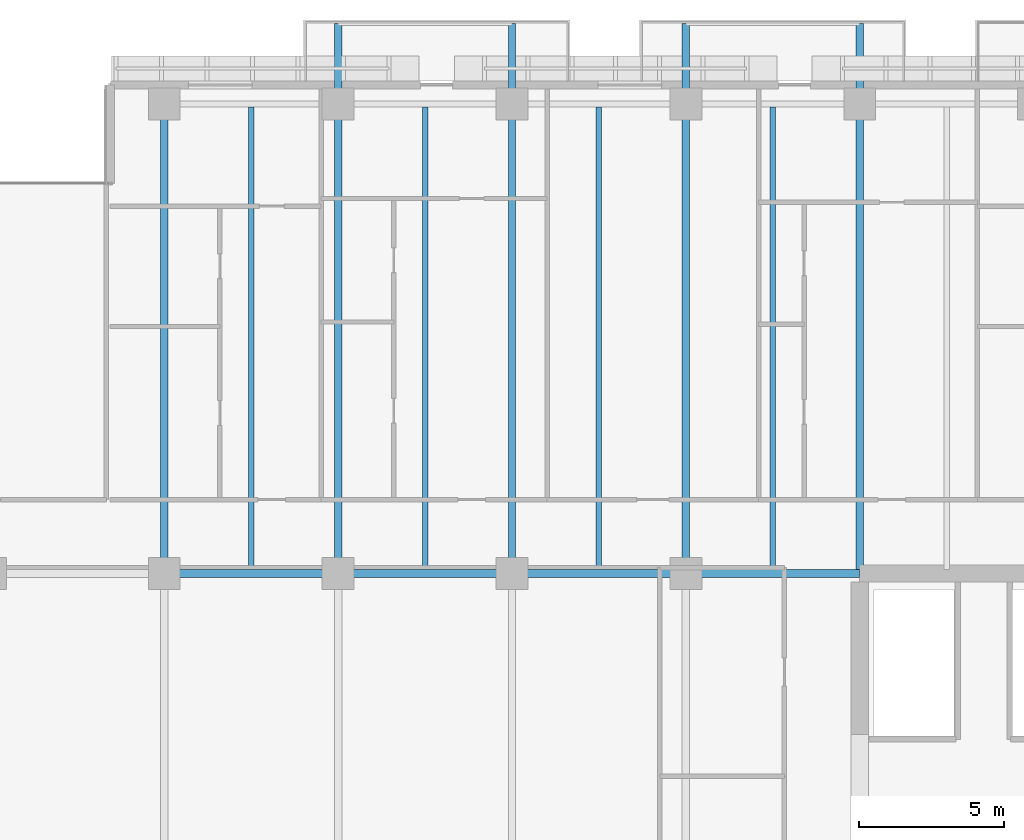
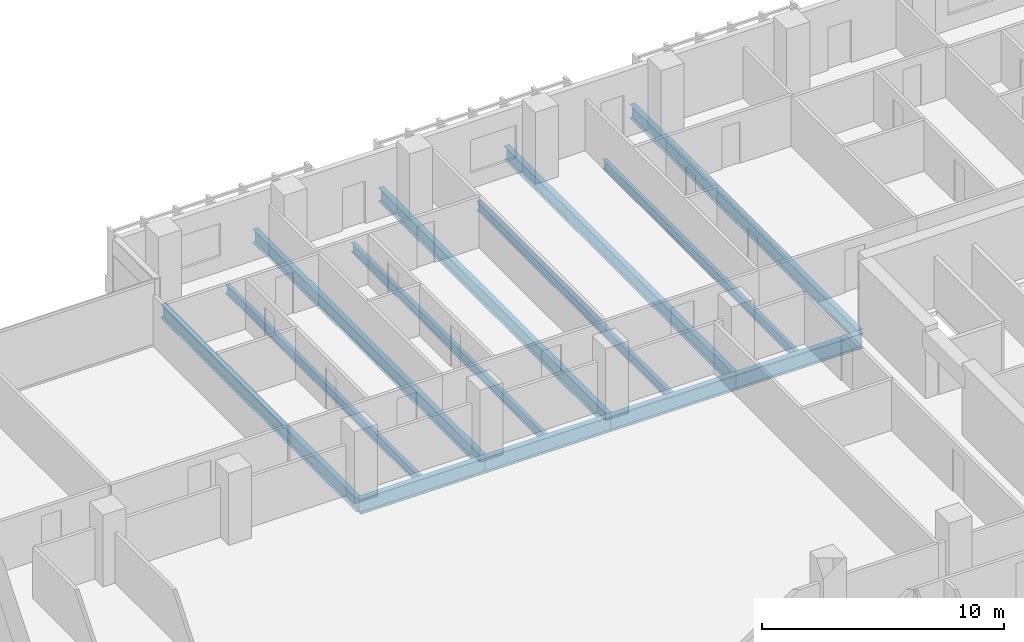
# One storey, part 7 of 25: 13 beams.
"""IFC4 building model written with IfcOpenShell, lengths in metres."""

from ifc_helpers import new_model, si_unit, direction, frame, origin, origin_2d, place, context, subcontext, project, spatial, i_section, extrude, material, material_profile, profile_set, type_object, element, save


model = new_model("IFC4")

# Units and contexts
model_context = context("Model", 3, precision=1e-05, world=origin(), true_north=direction((0.0, 1.0)))
body_context = subcontext(model_context, "Body", "Model", "MODEL_VIEW")
ifc_project = project(units=[si_unit("LENGTHUNIT", "METRE"), si_unit("AREAUNIT", "SQUARE_METRE"), si_unit("VOLUMEUNIT", "CUBIC_METRE"), si_unit("PLANEANGLEUNIT", "RADIAN"), si_unit("MASSUNIT", "GRAM", prefix="KILO")], contexts=[model_context])

# Site, building, storey
site_placement = place(None, origin())
site = spatial("IfcSite", under=ifc_project, at=site_placement, CompositionType="ELEMENT")
building_placement = place(site_placement, origin())
building = spatial("IfcBuilding", under=site, at=building_placement, Name="Tanjung Sevakor Pilgrim Tower", CompositionType="ELEMENT")
storey_placement = place(building_placement, frame((0.0, 0.0, 69.6298828125)))
storey = spatial("IfcBuildingStorey", under=building, at=storey_placement, Name="L19", CompositionType="ELEMENT", Elevation=69.6298828125)

# Beams
ifc_material_1 = material(Name="Steel S355J2", Category="steel")
ifc_material_profile_1 = material_profile(ifc_material_1, i_section(OverallWidth=0.26806640625, OverallDepth=0.769775390625, WebThickness=0.015625, FlangeThickness=0.025390625, FilletRadius=0.0166015625, at=origin_2d()))
ifc_profile_set_1 = profile_set([ifc_material_profile_1], Name="Steel S355J2")
beam_type_1 = type_object("IfcBeamType", Name="BM-B-G1-UB_762x267x197", PredefinedType="BEAM", material=ifc_profile_set_1)
for number, where, z_axis, x_axis, name in (
    (1, (54.0, 42.60009765625, -0.604736328125), (1.0, 0.0, 0.0), (0.0, 1.0, 0.0), "L19 Primary Floor Girder MAIN Y426-05"),
    (2, (60.0, 42.60009765625, -0.604736328125), (1.0, 0.0, 0.0), (0.0, 1.0, 0.0), "L19 Primary Floor Girder MAIN Y426-06"),
    (3, (66.0, 42.60009765625, -0.604736328125), (1.0, 0.0, 0.0), (0.0, 1.0, 0.0), "L19 Primary Floor Girder MAIN Y426-07"),
    (4, (72.0, 42.60009765625, -0.604736328125), (1.0, 0.0, 0.0), (0.0, 1.0, 0.0), "L19 Primary Floor Girder MAIN Y426-08"),
):
    element("IfcBeam", number, at=place(storey_placement, frame(where, z_axis=z_axis, x_axis=x_axis)), inside=storey, type_object=beam_type_1, Name=name, PredefinedType="BEAM", context=body_context, shape_type="SweptSolid", body=[
        extrude(i_section(OverallWidth=0.26806640625, OverallDepth=0.769775390625, WebThickness=0.015625, FlangeThickness=0.025390625, FilletRadius=0.0166015625, at=origin_2d()), origin(), (0.0, 0.0, 1.0), 6.0),
    ])
ifc_material_2 = material(Name="Steel S355J2", Category="steel")
ifc_material_profile_2 = material_profile(ifc_material_2, i_section(OverallWidth=0.25439453125, OverallDepth=0.6875, WebThickness=0.01318359375, FlangeThickness=0.02099609375, FilletRadius=0.01513671875, at=origin_2d()))
ifc_profile_set_2 = profile_set([ifc_material_profile_2], Name="Steel S355J2")
beam_type_2 = type_object("IfcBeamType", Name="BM-B-G2-UB_686x254x152", PredefinedType="BEAM", material=ifc_profile_set_2)
beam_1_placement = place(storey_placement, frame((54.0, 42.60009765625, -0.563720703125), z_axis=(0.0, 1.0, 0.0), x_axis=(-1.0, 0.0, 0.0)))
element("IfcBeam", 5, at=beam_1_placement, inside=storey, type_object=beam_type_2, Name="L19 MAIN Girder 015", PredefinedType="BEAM", context=body_context, shape_type="SweptSolid", body=[
    extrude(i_section(OverallWidth=0.25439453125, OverallDepth=0.6875, WebThickness=0.01318359375, FlangeThickness=0.02099609375, FilletRadius=0.01513671875, at=origin_2d()), origin(), (0.0, 0.0, 1.0), 16.199951171875),
])
for number, where, z_axis, x_axis, name in (
    (6, (60.0, 42.60009765625, -0.563720703125), (0.0, 1.0, 0.0), (-1.0, 0.0, 0.0), "L19 Balcony Cantilever Beam MAIN-N2-1"),
    (7, (66.0, 42.60009765625, -0.563720703125), (0.0, 1.0, 0.0), (-1.0, 0.0, 0.0), "L19 Balcony Cantilever Beam MAIN-N2-2"),
    (8, (72.0, 42.60009765625, -0.563720703125), (0.0, 1.0, 0.0), (-1.0, 0.0, 0.0), "L19 Balcony Cantilever Beam MAIN-N3-1"),
):
    element("IfcBeam", number, at=place(storey_placement, frame(where, z_axis=z_axis, x_axis=x_axis)), inside=storey, type_object=beam_type_2, Name=name, PredefinedType="BEAM", context=body_context, shape_type="SweptSolid", body=[
        extrude(i_section(OverallWidth=0.25439453125, OverallDepth=0.6875, WebThickness=0.01318359375, FlangeThickness=0.02099609375, FilletRadius=0.01513671875, at=origin_2d()), origin(), (0.0, 0.0, 1.0), 18.97998046875),
    ])
beam_2_placement = place(storey_placement, frame((78.0, 42.73388671875, -0.563720703125), z_axis=(0.0, 1.0, 0.0), x_axis=(-1.0, 0.0, 0.0)))
element("IfcBeam", 9, at=beam_2_placement, inside=storey, type_object=beam_type_2, Name="L19 Balcony Cantilever Beam MAIN-N3-2", PredefinedType="BEAM", context=body_context, shape_type="SweptSolid", body=[
    extrude(i_section(OverallWidth=0.25439453125, OverallDepth=0.6875, WebThickness=0.01318359375, FlangeThickness=0.02099609375, FilletRadius=0.01513671875, at=origin_2d()), origin(), (0.0, 0.0, 1.0), 18.84619140625),
])
ifc_material_3 = material(Name="Steel S355J2", Category="steel")
ifc_material_profile_3 = material_profile(ifc_material_3, i_section(OverallWidth=0.19140625, OverallDepth=0.4599609375, WebThickness=0.010009765625, FlangeThickness=0.01611328125, FilletRadius=0.01025390625, at=origin_2d()))
ifc_profile_set_3 = profile_set([ifc_material_profile_3], Name="Steel S355J2")
beam_type_3 = type_object("IfcBeamType", Name="BM-B-J2-UB_457x191x82", PredefinedType="JOIST", material=ifc_profile_set_3)
for number, where, z_axis, x_axis, name in (
    (10, (57.0, 42.73388671875, -0.449951171875), (0.0, 1.0, 0.0), (-1.0, 0.0, 0.0), "L19 MAIN Joist 017"),
    (11, (63.0, 42.73388671875, -0.449951171875), (0.0, 1.0, 0.0), (-1.0, 0.0, 0.0), "L19 MAIN Joist 020"),
    (12, (69.0, 42.73388671875, -0.449951171875), (0.0, 1.0, 0.0), (-1.0, 0.0, 0.0), "L19 MAIN Joist 023"),
    (13, (75.0, 42.73388671875, -0.449951171875), (0.0, 1.0, 0.0), (-1.0, 0.0, 0.0), "L19 MAIN Joist 026"),
):
    element("IfcBeam", number, at=place(storey_placement, frame(where, z_axis=z_axis, x_axis=x_axis)), inside=storey, type_object=beam_type_3, Name=name, PredefinedType="JOIST", context=body_context, shape_type="SweptSolid", body=[
        extrude(i_section(OverallWidth=0.19140625, OverallDepth=0.4599609375, WebThickness=0.010009765625, FlangeThickness=0.01611328125, FilletRadius=0.01025390625, at=origin_2d()), origin(), (0.0, 0.0, 1.0), 15.966064453125),
    ])

save(model, "model.ifc")
